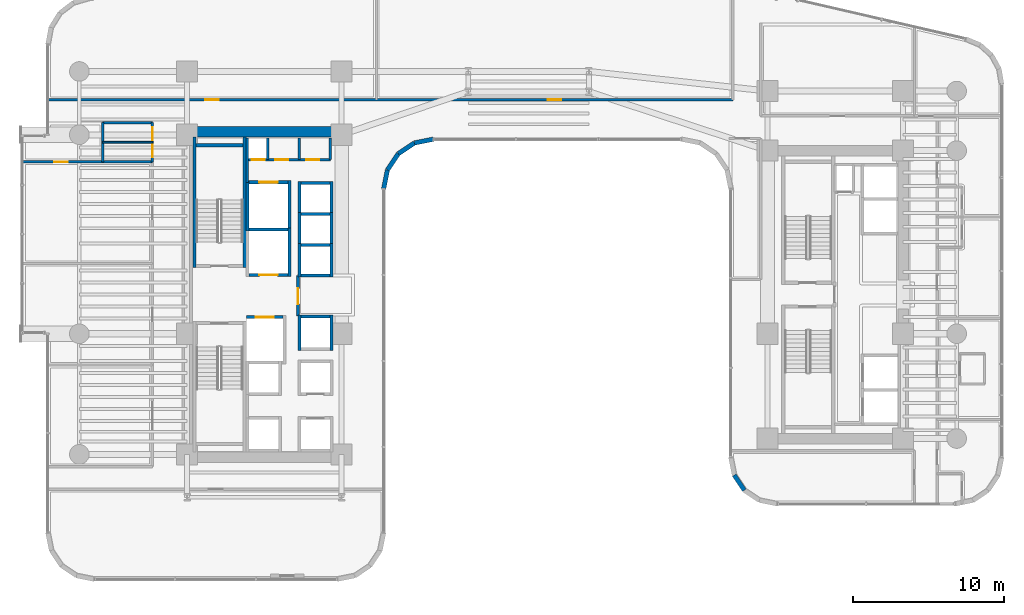
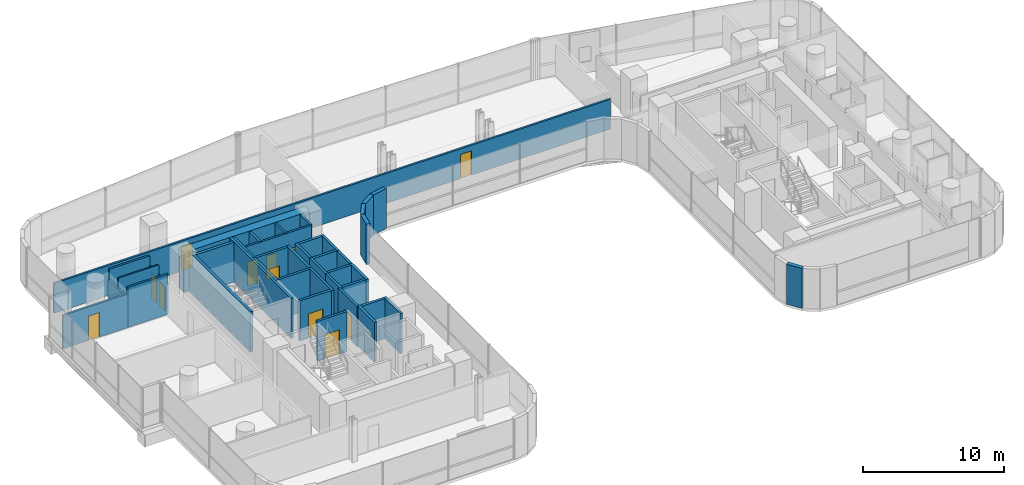
# One storey, part 30 of 39: 42 walls, 12 doors, 12 openings.
"""IFC4 building model written with IfcOpenShell, lengths in metres."""

from ifc_helpers import new_model, si_unit, direction, frame, frame_2d, origin, place, context, subcontext, project, spatial, rectangle, extrude, material, layer, layer_set, type_object, element, fill, save


model = new_model("IFC4")

# Units and contexts
model_context = context("Model", 3, precision=1e-05, world=origin(), true_north=direction((0.0, 1.0)))
body_context = subcontext(model_context, "Body", "Model", "MODEL_VIEW")
ifc_project = project(units=[si_unit("LENGTHUNIT", "METRE"), si_unit("AREAUNIT", "SQUARE_METRE"), si_unit("VOLUMEUNIT", "CUBIC_METRE"), si_unit("PLANEANGLEUNIT", "RADIAN"), si_unit("MASSUNIT", "GRAM", prefix="KILO")], contexts=[model_context])

# Site, building, storey
site_placement = place(None, origin())
site = spatial("IfcSite", under=ifc_project, at=site_placement, CompositionType="ELEMENT")
building_placement = place(site_placement, origin())
building = spatial("IfcBuilding", under=site, at=building_placement, Name="Valdorenza Pilgrim Sanctuary Tower", CompositionType="ELEMENT")
storey_placement = place(building_placement, frame((0.0, 0.0, 70.39990234375)))
storey = spatial("IfcBuildingStorey", under=building, at=storey_placement, Name="L17", CompositionType="ELEMENT", Elevation=70.39990234375)

# Wall
ifc_material_1 = material(Name="Acoustic twin-stud gypsum partition", Category="gypsum")
ifc_layer_1 = layer(ifc_material_1, 0.159912109375, Name="Acoustic twin-stud gypsum partition")
ifc_layer_set_1 = layer_set([ifc_layer_1], Name="Acoustic twin-stud gypsum partition")
wall_type_1 = type_object("IfcWallType", Name="WAL-COR-160", PredefinedType="PARTITIONING", material=ifc_layer_set_1)
wall_1_placement = place(storey_placement, frame((-18.64990234375, 7.449951171875, 0.0), z_axis=(0.0, 0.0, 1.0), x_axis=(0.0, 1.0, 0.0)))
element("IfcWall", 1, at=wall_1_placement, inside=storey, type_object=wall_type_1, Name="L17 Core A North Service West Wall", PredefinedType="PARTITIONING", context=body_context, shape_type="SweptSolid", body=[
    extrude(rectangle(XDim=2.929931640625, YDim=0.159912109375, at=frame_2d((1.46484375, 0.0))), origin(), (0.0, 0.0, 1.0), 3.460205078125),
])

# Wall, openings, doors
wall_2_placement = place(storey_placement, frame((-18.64990234375, 8.949951171875, 0.0), z_axis=(0.0, 0.0, 1.0), x_axis=(1.0, 0.0, 0.0)))
wall_2 = element("IfcWall", 2, at=wall_2_placement, inside=storey, type_object=wall_type_1, Name="L17 Core A North Service South Wall", PredefinedType="PARTITIONING", context=body_context, shape_type="SweptSolid", body=[
    extrude(rectangle(XDim=5.5, YDim=0.159912109375, at=frame_2d((2.75, 0.0))), origin(), (0.0, 0.0, 1.0), 3.460205078125),
])
opening_1_placement = place(wall_2_placement, frame((0.300048828125, 0.0, 0.0)))
opening_1 = element("IfcOpeningElement", 3, at=opening_1_placement, cuts=wall_2, Name="Opening DR-RS1", PredefinedType="OPENING", context=body_context, shape_type="SweptSolid", body=[
    extrude(rectangle(XDim=0.85009765625, YDim=2.050048828125, at=frame_2d((0.425048828125, 1.02490234375))), frame((0.0, 0.0947265625, 0.0), z_axis=(0.0, -1.0, 0.0), x_axis=(1.0, 0.0, 0.0)), (0.0, 0.0, 1.0), 0.189697265625),
])
opening_2_placement = place(wall_2_placement, frame((1.85009765625, 0.0, 0.0)))
opening_2 = element("IfcOpeningElement", 4, at=opening_2_placement, cuts=wall_2, Name="Opening DR-RS1", PredefinedType="OPENING", context=body_context, shape_type="SweptSolid", body=[
    extrude(rectangle(XDim=0.85009765625, YDim=2.050048828125, at=frame_2d((0.425048828125, 1.02490234375))), frame((0.0, 0.0947265625, 0.0), z_axis=(0.0, -1.0, 0.0), x_axis=(1.0, 0.0, 0.0)), (0.0, 0.0, 1.0), 0.189697265625),
])
opening_3_placement = place(wall_2_placement, frame((3.89990234375, 0.0, 0.0)))
opening_3 = element("IfcOpeningElement", 5, at=opening_3_placement, cuts=wall_2, Name="Opening DR-RS1", PredefinedType="OPENING", context=body_context, shape_type="SweptSolid", body=[
    extrude(rectangle(XDim=0.85009765625, YDim=2.050048828125, at=frame_2d((0.425048828125, 1.02490234375))), frame((0.0, 0.0947265625, 0.0), z_axis=(0.0, -1.0, 0.0), x_axis=(1.0, 0.0, 0.0)), (0.0, 0.0, 1.0), 0.189697265625),
])
ifc_material_2 = material(Name="Painted galvanized steel", Category="steel")
door_type_1 = type_object("IfcDoorType", Name="DR-RSR-850", OperationType="NOTDEFINED", PredefinedType="DOOR", material=ifc_material_2)
door_1_placement = place(opening_1_placement, origin())
door_1 = element("IfcDoor", 6, at=door_1_placement, inside=storey, type_object=door_type_1, Name="L17 Core Electrical and Telecom Riser Door", OperationType="SINGLE_SWING_LEFT", OverallHeight=2.050048828125, OverallWidth=0.85009765625, PredefinedType="DOOR", context=body_context, shape_type="SweptSolid", body=[
    extrude(rectangle(XDim=0.85009765625, YDim=2.050048828125, at=frame_2d((0.425048828125, 1.02490234375))), frame((0.0, 0.02490234375, 0.0), z_axis=(0.0, -1.0, 0.0), x_axis=(1.0, 0.0, 0.0)), (0.0, 0.0, 1.0), 0.050048828125),
])
fill(opening_1, door_1)
door_2_placement = place(opening_2_placement, origin())
door_2 = element("IfcDoor", 7, at=door_2_placement, inside=storey, type_object=door_type_1, Name="L17 Housekeeping and Clean Linen Room Door", OperationType="SINGLE_SWING_RIGHT", OverallHeight=2.050048828125, OverallWidth=0.85009765625, PredefinedType="DOOR", context=body_context, shape_type="SweptSolid", body=[
    extrude(rectangle(XDim=0.85009765625, YDim=2.050048828125, at=frame_2d((0.425048828125, 1.02490234375))), frame((0.0, 0.02490234375, 0.0), z_axis=(0.0, -1.0, 0.0), x_axis=(1.0, 0.0, 0.0)), (0.0, 0.0, 1.0), 0.050048828125),
])
fill(opening_2, door_2)
door_3_placement = place(opening_3_placement, origin())
door_3 = element("IfcDoor", 8, at=door_3_placement, inside=storey, type_object=door_type_1, Name="L17 Guest Ice and Vending Pantry Door", OperationType="SINGLE_SWING_LEFT", OverallHeight=2.050048828125, OverallWidth=0.85009765625, PredefinedType="DOOR", context=body_context, shape_type="SweptSolid", body=[
    extrude(rectangle(XDim=0.85009765625, YDim=2.050048828125, at=frame_2d((0.425048828125, 1.02490234375))), frame((0.0, 0.02490234375, 0.0), z_axis=(0.0, -1.0, 0.0), x_axis=(1.0, 0.0, 0.0)), (0.0, 0.0, 1.0), 0.050048828125),
])
fill(opening_3, door_3)

# Walls
for number, where, z_axis, x_axis, name in (
    (9, (-13.14990234375, 8.949951171875, 0.0), (0.0, 0.0, 1.0), (0.0, 1.0, 0.0), "L17 Core A North Service East Wall"),
    (10, (-17.300048828125, 8.949951171875, 0.0), (0.0, 0.0, 1.0), (0.0, 1.0, 0.0), "L17 Core Electrical Riser Wall"),
    (11, (-15.199951171875, 8.949951171875, 0.0), (0.0, 0.0, 1.0), (0.0, 1.0, 0.0), "L17 Core A Housekeeping Split B"),
):
    element("IfcWall", number, at=place(storey_placement, frame(where, z_axis=z_axis, x_axis=x_axis)), inside=storey, type_object=wall_type_1, Name=name, PredefinedType="PARTITIONING", context=body_context, shape_type="SweptSolid", body=[
        extrude(rectangle(XDim=1.429931640625, YDim=0.159912109375, at=frame_2d((0.71484375, 0.0))), origin(), (0.0, 0.0, 1.0), 3.460205078125),
    ])
wall_3_placement = place(storey_placement, frame((-28.25, 8.800048828125, 0.0), z_axis=(0.0, 0.0, 1.0), x_axis=(0.0, 1.0, 0.0)))
element("IfcWall", 12, at=wall_3_placement, inside=storey, type_object=wall_type_1, Name="L17 Washroom West Wall", PredefinedType="PARTITIONING", context=body_context, shape_type="SweptSolid", body=[
    extrude(rectangle(XDim=2.599853515625, YDim=0.159912109375, at=frame_2d((1.2998046875, 0.0))), origin(), (0.0, 0.0, 1.0), 2.5830078125),
])

# Wall, openings, doors
wall_4_placement = place(storey_placement, frame((-24.949951171875, 8.800048828125, 0.0), z_axis=(0.0, 0.0, 1.0), x_axis=(0.0, 1.0, 0.0)))
wall_4 = element("IfcWall", 13, at=wall_4_placement, inside=storey, type_object=wall_type_1, Name="L17 Washroom East Wall", PredefinedType="PARTITIONING", context=body_context, shape_type="SweptSolid", body=[
    extrude(rectangle(XDim=2.599853515625, YDim=0.159912109375, at=frame_2d((1.2998046875, 0.0))), origin(), (0.0, 0.0, 1.0), 2.5830078125),
])
opening_4_placement = place(wall_4_placement, frame((0.300048828125, 0.0, 0.0)))
opening_4 = element("IfcOpeningElement", 14, at=opening_4_placement, cuts=wall_4, Name="Opening DR-WC1", PredefinedType="OPENING", context=body_context, shape_type="SweptSolid", body=[
    extrude(rectangle(XDim=0.85009765625, YDim=2.10009765625, at=frame_2d((0.425048828125, 1.050048828125))), frame((0.0, 0.0947265625, 0.0), z_axis=(0.0, -1.0, 0.0), x_axis=(1.0, 0.0, 0.0)), (0.0, 0.0, 1.0), 0.189697265625),
])
opening_5_placement = place(wall_4_placement, frame((1.449951171875, 0.0, 0.0)))
opening_5 = element("IfcOpeningElement", 15, at=opening_5_placement, cuts=wall_4, Name="Opening DR-WC1", PredefinedType="OPENING", context=body_context, shape_type="SweptSolid", body=[
    extrude(rectangle(XDim=0.85009765625, YDim=2.10009765625, at=frame_2d((0.425048828125, 1.050048828125))), frame((0.0, 0.0947265625, 0.0), z_axis=(0.0, -1.0, 0.0), x_axis=(1.0, 0.0, 0.0)), (0.0, 0.0, 1.0), 0.189697265625),
])
ifc_material_3 = material(Name="Moisture-resistant lacquered timber", Category="wood")
door_type_2 = type_object("IfcDoorType", Name="DR-BATH-850", OperationType="NOTDEFINED", PredefinedType="DOOR", material=ifc_material_3)
door_4_placement = place(opening_4_placement, origin())
door_4 = element("IfcDoor", 16, at=door_4_placement, inside=storey, type_object=door_type_2, Name="L17 Accessible Washroom Door", OperationType="SINGLE_SWING_RIGHT", OverallHeight=2.10009765625, OverallWidth=0.85009765625, PredefinedType="DOOR", context=body_context, shape_type="SweptSolid", body=[
    extrude(rectangle(XDim=0.85009765625, YDim=2.10009765625, at=frame_2d((0.425048828125, 1.050048828125))), frame((0.0, 0.02490234375, 0.0), z_axis=(0.0, -1.0, 0.0), x_axis=(1.0, 0.0, 0.0)), (0.0, 0.0, 1.0), 0.050048828125),
])
fill(opening_4, door_4)
door_5_placement = place(opening_5_placement, origin())
door_5 = element("IfcDoor", 17, at=door_5_placement, inside=storey, type_object=door_type_2, Name="L17 Public Washroom Door", OperationType="SINGLE_SWING_LEFT", OverallHeight=2.10009765625, OverallWidth=0.85009765625, PredefinedType="DOOR", context=body_context, shape_type="SweptSolid", body=[
    extrude(rectangle(XDim=0.85009765625, YDim=2.10009765625, at=frame_2d((0.425048828125, 1.050048828125))), frame((0.0, 0.02490234375, 0.0), z_axis=(0.0, -1.0, 0.0), x_axis=(1.0, 0.0, 0.0)), (0.0, 0.0, 1.0), 0.050048828125),
])
fill(opening_5, door_5)

# Walls
for number, where, z_axis, x_axis, name in (
    (18, (-28.25, 8.800048828125, 0.0), (0.0, 0.0, 1.0), (1.0, 0.0, 0.0), "L17 Washroom South Wall"),
    (19, (-28.25, 11.39990234375, 0.0), (0.0, 0.0, 1.0), (1.0, 0.0, 0.0), "L17 Washroom North Wall"),
):
    element("IfcWall", number, at=place(storey_placement, frame(where, z_axis=z_axis, x_axis=x_axis)), inside=storey, type_object=wall_type_1, Name=name, PredefinedType="PARTITIONING", context=body_context, shape_type="SweptSolid", body=[
        extrude(rectangle(XDim=3.300048828125, YDim=0.159912109375, at=frame_2d((1.64990234375, 0.0))), origin(), (0.0, 0.0, 1.0), 3.460205078125),
    ])

# Wall, opening, door
wall_5_placement = place(storey_placement, frame((-33.5400390625, 8.800048828125, 0.0), z_axis=(0.0, 0.0, 1.0), x_axis=(1.0, 0.0, 0.0)))
wall_5 = element("IfcWall", 20, at=wall_5_placement, inside=storey, type_object=wall_type_1, Name="L17 West North Alcove Wall", PredefinedType="PARTITIONING", context=body_context, shape_type="SweptSolid", body=[
    extrude(rectangle(XDim=5.2900390625, YDim=0.159912109375, at=frame_2d((2.64501953125, 0.0))), origin(), (0.0, 0.0, 1.0), 2.89599609375),
])
opening_6_placement = place(wall_5_placement, frame((2.080078125, 0.0, 0.0)))
opening_6 = element("IfcOpeningElement", 21, at=opening_6_placement, cuts=wall_5, Name="Opening DR-RM1", PredefinedType="OPENING", context=body_context, shape_type="SweptSolid", body=[
    extrude(rectangle(XDim=0.89990234375, YDim=2.10009765625, at=frame_2d((0.449951171875, 1.050048828125))), frame((0.0, 0.0947265625, 0.0), z_axis=(0.0, -1.0, 0.0), x_axis=(1.0, 0.0, 0.0)), (0.0, 0.0, 1.0), 0.189697265625),
])
ifc_material_4 = material(Name="Solid-core European oak timber", Category="wood")
door_type_3 = type_object("IfcDoorType", Name="DR-ROOM-900", OperationType="NOTDEFINED", PredefinedType="DOOR", material=ifc_material_4)
door_6_placement = place(opening_6_placement, origin())
door_6 = element("IfcDoor", 22, at=door_6_placement, inside=storey, type_object=door_type_3, Name="L17 Pilgrim Scholar Office L17-WN Door", OperationType="SINGLE_SWING_RIGHT", OverallHeight=2.10009765625, OverallWidth=0.89990234375, PredefinedType="DOOR", context=body_context, shape_type="SweptSolid", body=[
    extrude(rectangle(XDim=0.89990234375, YDim=2.10009765625, at=frame_2d((0.449951171875, 1.050048828125))), frame((0.0, 0.02490234375, 0.0), z_axis=(0.0, -1.0, 0.0), x_axis=(1.0, 0.0, 0.0)), (0.0, 0.0, 1.0), 0.050048828125),
])
fill(opening_6, door_6)

# Wall, openings, doors
wall_6_placement = place(storey_placement, frame((-31.889892578125, 12.919921875, 0.0), z_axis=(0.0, 0.0, 1.0), x_axis=(1.0, 0.0, 0.0)))
wall_6 = element("IfcWall", 23, at=wall_6_placement, inside=storey, type_object=wall_type_1, Name="L17 North Corridor Wall", PredefinedType="PARTITIONING", context=body_context, shape_type="SweptSolid", body=[
    extrude(rectangle(XDim=45.43994140625, YDim=0.159912109375, at=frame_2d((22.719970703125, 0.0))), origin(), (0.0, 0.0, 1.0), 2.5830078125),
])
opening_7_placement = place(wall_6_placement, frame((10.447998046875, 0.0, 0.0)))
opening_7 = element("IfcOpeningElement", 24, at=opening_7_placement, cuts=wall_6, Name="Opening DR-RM1", PredefinedType="OPENING", context=body_context, shape_type="SweptSolid", body=[
    extrude(rectangle(XDim=0.89990234375, YDim=2.10009765625, at=frame_2d((0.449951171875, 1.050048828125))), frame((0.0, 0.0947265625, 0.0), z_axis=(0.0, -1.0, 0.0), x_axis=(1.0, 0.0, 0.0)), (0.0, 0.0, 1.0), 0.189697265625),
])
opening_8_placement = place(wall_6_placement, frame((33.1669921875, 0.0, 0.0)))
opening_8 = element("IfcOpeningElement", 25, at=opening_8_placement, cuts=wall_6, Name="Opening DR-RM1", PredefinedType="OPENING", context=body_context, shape_type="SweptSolid", body=[
    extrude(rectangle(XDim=0.89990234375, YDim=2.10009765625, at=frame_2d((0.449951171875, 1.050048828125))), frame((0.0, 0.0947265625, 0.0), z_axis=(0.0, -1.0, 0.0), x_axis=(1.0, 0.0, 0.0)), (0.0, 0.0, 1.0), 0.189697265625),
])
door_7_placement = place(opening_7_placement, frame((0.89990234375, 0.0, 0.0), z_axis=(0.0, 0.0, 1.0), x_axis=(-1.0, 0.0, 0.0)))
door_7 = element("IfcDoor", 26, at=door_7_placement, inside=storey, type_object=door_type_3, Name="L17 Private Banquet Dining Room L17-N1 Door", OperationType="SINGLE_SWING_LEFT", OverallHeight=2.10009765625, OverallWidth=0.89990234375, PredefinedType="DOOR", context=body_context, shape_type="SweptSolid", body=[
    extrude(rectangle(XDim=0.89990234375, YDim=2.10009765625, at=frame_2d((0.449951171875, 1.050048828125))), frame((0.0, 0.02490234375, 0.0), z_axis=(0.0, -1.0, 0.0), x_axis=(1.0, 0.0, 0.0)), (0.0, 0.0, 1.0), 0.050048828125),
])
fill(opening_7, door_7)
door_8_placement = place(opening_8_placement, origin())
door_8 = element("IfcDoor", 27, at=door_8_placement, inside=storey, type_object=door_type_3, Name="L17 Private Banquet Dining Room L17-N2 Door", OperationType="SINGLE_SWING_RIGHT", OverallHeight=2.10009765625, OverallWidth=0.89990234375, PredefinedType="DOOR", context=body_context, shape_type="SweptSolid", body=[
    extrude(rectangle(XDim=0.89990234375, YDim=2.10009765625, at=frame_2d((0.449951171875, 1.050048828125))), frame((0.0, 0.02490234375, 0.0), z_axis=(0.0, -1.0, 0.0), x_axis=(1.0, 0.0, 0.0)), (0.0, 0.0, 1.0), 0.050048828125),
])
fill(opening_8, door_8)

# Walls
ifc_material_5 = material(Name="Concrete C60/75", Category="concrete")
ifc_layer_2 = layer(ifc_material_5, 0.699951171875, Name="Concrete C60/75")
ifc_layer_set_2 = layer_set([ifc_layer_2], Name="Concrete C60/75")
wall_type_2 = type_object("IfcWallType", Name="WAL-COR-700", PredefinedType="SHEAR", material=ifc_layer_set_2)
wall_7_placement = place(storey_placement, frame((-22.64990234375, 10.800048828125, 0.0), z_axis=(0.0, 0.0, 1.0), x_axis=(1.0, 0.0, 0.0)))
element("IfcWall", 28, at=wall_7_placement, inside=storey, type_object=wall_type_2, Name="L17 Split Core A Shear Wall N", PredefinedType="SHEAR", context=body_context, shape_type="SweptSolid", body=[
    extrude(rectangle(XDim=10.25, YDim=0.699951171875, at=frame_2d((5.125, 0.0))), origin(), (0.0, 0.0, 1.0), 3.460205078125),
])
ifc_material_6 = material(Name="Honed travertine limestone", Category="masonry")
ifc_layer_3 = layer(ifc_material_6, 0.300048828125, Name="Honed travertine limestone")
ifc_layer_set_3 = layer_set([ifc_layer_3], Name="Honed travertine limestone")
wall_type_3 = type_object("IfcWallType", Name="WAL-EXT-300", PredefinedType="SOLIDWALL", material=ifc_layer_set_3)
wall_8_placement = place(storey_placement, frame((14.316650390625, -12.9833984375, 0.0), z_axis=(0.0, 0.0, 1.0), x_axis=(-0.555635100982, 0.831426265255, 0.0)))
element("IfcWall", 29, at=wall_8_placement, inside=storey, type_object=wall_type_3, Name="L17 Rounded Wind-Corner Stone Pier 29", PredefinedType="SOLIDWALL", context=body_context, shape_type="SweptSolid", body=[
    extrude(rectangle(XDim=1.204833984375, YDim=0.300048828125, at=frame_2d((0.6025390625, 0.0))), origin(), (0.0, 0.0, 1.0), 3.460205078125),
])
wall_9_placement = place(storey_placement, frame((-6.310791015625, 10.31005859375, 0.0), z_axis=(0.0, 0.0, 1.0), x_axis=(-0.980778058848, -0.195126623715, 0.0)))
element("IfcWall", 30, at=wall_9_placement, inside=storey, type_object=wall_type_3, Name="L17 Rounded Wind-Corner Stone Pier 37", PredefinedType="SOLIDWALL", context=body_context, shape_type="SweptSolid", body=[
    extrude(rectangle(XDim=1.28125, YDim=0.300048828125, at=frame_2d((0.640625, 0.0))), origin(), (0.0, 0.0, 1.0), 3.460205078125),
])
wall_10_placement = place(storey_placement, frame((-7.5673828125, 10.06005859375, 0.0), z_axis=(0.0, 0.0, 1.0), x_axis=(-0.831497739511, -0.555528135371, 0.0)))
element("IfcWall", 31, at=wall_10_placement, inside=storey, type_object=wall_type_3, Name="L17 Rounded Wind-Corner Stone Pier 38", PredefinedType="SOLIDWALL", context=body_context, shape_type="SweptSolid", body=[
    extrude(rectangle(XDim=1.29248046875, YDim=0.300048828125, at=frame_2d((0.646240234375, 0.0))), origin(), (0.0, 0.0, 1.0), 3.460205078125),
])
wall_11_placement = place(storey_placement, frame((-8.64208984375, 9.342041015625, 0.0), z_axis=(0.0, 0.0, 1.0), x_axis=(-0.555615398575, -0.831439431869, 0.0)))
element("IfcWall", 32, at=wall_11_placement, inside=storey, type_object=wall_type_3, Name="L17 Rounded Wind-Corner Stone Pier 39", PredefinedType="SOLIDWALL", context=body_context, shape_type="SweptSolid", body=[
    extrude(rectangle(XDim=1.292236328125, YDim=0.300048828125, at=frame_2d((0.64599609375, 0.0))), origin(), (0.0, 0.0, 1.0), 3.460205078125),
])
wall_12_placement = place(storey_placement, frame((-9.360107421875, 8.267578125, 0.0), z_axis=(0.0, 0.0, 1.0), x_axis=(-0.195090163074, -0.980785312019, 0.0)))
element("IfcWall", 33, at=wall_12_placement, inside=storey, type_object=wall_type_3, Name="L17 Rounded Wind-Corner Stone Pier 40", PredefinedType="SOLIDWALL", context=body_context, shape_type="SweptSolid", body=[
    extrude(rectangle(XDim=1.281494140625, YDim=0.300048828125, at=frame_2d((0.640625, 0.0))), origin(), (0.0, 0.0, 1.0), 3.460205078125),
])

# Wall, opening, door
ifc_material_7 = material(Name="Gypsum shaftwall partition", Category="gypsum")
ifc_layer_4 = layer(ifc_material_7, 0.199951171875, Name="Gypsum shaftwall partition")
ifc_layer_set_4 = layer_set([ifc_layer_4], Name="Gypsum shaftwall partition")
wall_type_4 = type_object("IfcWallType", Name="WAL-FFL-200", PredefinedType="PARTITIONING", material=ifc_layer_set_4)
wall_13_placement = place(storey_placement, frame((-15.300048828125, -1.419921875, 0.0), z_axis=(0.0, 0.0, 1.0), x_axis=(0.0, 1.0, 0.0)))
wall_13 = element("IfcWall", 34, at=wall_13_placement, inside=storey, type_object=wall_type_4, Name="L17 Core A Firefighting Lobby East Wall", PredefinedType="PARTITIONING", context=body_context, shape_type="SweptSolid", body=[
    extrude(rectangle(XDim=2.669921875, YDim=0.199951171875, at=frame_2d((1.3349609375, 0.0))), origin(), (0.0, 0.0, 1.0), 3.460205078125),
])
opening_9_placement = place(wall_13_placement, frame((0.780029296875, 0.0, 0.0)))
opening_9 = element("IfcOpeningElement", 35, at=opening_9_placement, cuts=wall_13, Name="Opening DR-FL1", PredefinedType="OPENING", context=body_context, shape_type="SweptSolid", body=[
    extrude(rectangle(XDim=1.050048828125, YDim=2.14990234375, at=frame_2d((0.52490234375, 1.074951171875))), frame((0.0, 0.11474609375, 0.0), z_axis=(0.0, -1.0, 0.0), x_axis=(1.0, 0.0, 0.0)), (0.0, 0.0, 1.0), 0.229736328125),
])
door_type_4 = type_object("IfcDoorType", Name="DR-FFL-1050", OperationType="NOTDEFINED", PredefinedType="DOOR", material=ifc_material_2)
door_9_placement = place(opening_9_placement, origin())
door_9 = element("IfcDoor", 36, at=door_9_placement, inside=storey, type_object=door_type_4, Name="L17 Core A Firefighting Lobby Door", OperationType="SINGLE_SWING_RIGHT", OverallHeight=2.14990234375, OverallWidth=1.050048828125, PredefinedType="DOOR", context=body_context, shape_type="SweptSolid", body=[
    extrude(rectangle(XDim=1.050048828125, YDim=2.14990234375, at=frame_2d((0.52490234375, 1.074951171875))), frame((0.0, 0.02490234375, 0.0), z_axis=(0.0, -1.0, 0.0), x_axis=(1.0, 0.0, 0.0)), (0.0, 0.0, 1.0), 0.050048828125),
])
fill(opening_9, door_9)

# Walls
ifc_material_8 = material(Name="Moisture-resistant gypsum partition", Category="gypsum")
ifc_layer_5 = layer(ifc_material_8, 0.1201171875, Name="Moisture-resistant gypsum partition")
ifc_layer_set_5 = layer_set([ifc_layer_5], Name="Moisture-resistant gypsum partition")
wall_type_5 = type_object("IfcWallType", Name="WAL-INT-120", PredefinedType="PARTITIONING", material=ifc_layer_set_5)
wall_14_placement = place(storey_placement, frame((-28.25, 10.10009765625, 0.0), z_axis=(0.0, 0.0, 1.0), x_axis=(1.0, 0.0, 0.0)))
element("IfcWall", 37, at=wall_14_placement, inside=storey, type_object=wall_type_5, Name="L17 Washroom Divider Wall", PredefinedType="PARTITIONING", context=body_context, shape_type="SweptSolid", body=[
    extrude(rectangle(XDim=3.300048828125, YDim=0.1201171875, at=frame_2d((1.64990234375, 0.0))), origin(), (0.0, 0.0, 1.0), 3.460205078125),
])
ifc_material_9 = material(Name="Autoclaved aerated concrete blockwork", Category="masonry")
ifc_layer_6 = layer(ifc_material_9, 0.199951171875, Name="Autoclaved aerated concrete blockwork")
ifc_layer_set_6 = layer_set([ifc_layer_6], Name="Autoclaved aerated concrete blockwork")
wall_type_6 = type_object("IfcWallType", Name="WAL-SHF-200", PredefinedType="MOVABLE", material=ifc_layer_set_6)
wall_15_placement = place(storey_placement, frame((-15.85009765625, 1.199951171875, 0.0), z_axis=(0.0, 0.0, 1.0), x_axis=(0.0, 1.0, 0.0)))
element("IfcWall", 38, at=wall_15_placement, inside=storey, type_object=wall_type_6, Name="L17 Lift FFL-01 Hoistway Wall East", PredefinedType="MOVABLE", context=body_context, shape_type="SweptSolid", body=[
    extrude(rectangle(XDim=3.22509765625, YDim=0.199951171875, at=frame_2d((1.612548828125, 0.0))), origin(), (0.0, 0.0, 1.0), 3.460205078125),
])

# Wall, opening, door
wall_16_placement = place(storey_placement, frame((-18.550048828125, 1.300048828125, 0.0), z_axis=(0.0, 0.0, 1.0), x_axis=(1.0, 0.0, 0.0)))
wall_16 = element("IfcWall", 39, at=wall_16_placement, inside=storey, type_object=wall_type_6, Name="L17 Lift FFL-01 Hoistway Wall South", PredefinedType="MOVABLE", context=body_context, shape_type="SweptSolid", body=[
    extrude(rectangle(XDim=2.60009765625, YDim=0.199951171875, at=frame_2d((1.300048828125, 0.0))), origin(), (0.0, 0.0, 1.0), 3.460205078125),
])
opening_10_placement = place(wall_16_placement, frame((0.699951171875, 0.0, 0.0)))
opening_10 = element("IfcOpeningElement", 40, at=opening_10_placement, cuts=wall_16, Name="Opening LD-02", PredefinedType="OPENING", context=body_context, shape_type="SweptSolid", body=[
    extrude(rectangle(XDim=1.199951171875, YDim=2.10009765625, at=frame_2d((0.60009765625, 1.050048828125))), frame((0.0, 0.11474609375, 0.0), z_axis=(0.0, -1.0, 0.0), x_axis=(1.0, 0.0, 0.0)), (0.0, 0.0, 1.0), 0.229736328125),
])
ifc_material_10 = material(Name="Brushed stainless steel Grade 316", Category="steel")
door_type_5 = type_object("IfcDoorType", Name="DR-LFT-1200", OperationType="DOUBLE_DOOR_SLIDING", PredefinedType="DOOR", material=ifc_material_10)
door_10_placement = place(opening_10_placement, origin())
door_10 = element("IfcDoor", 41, at=door_10_placement, inside=storey, type_object=door_type_5, Name="L17 Lift FFL-01 Sliding Landing Door", OperationType="DOUBLE_DOOR_SLIDING", OverallHeight=2.10009765625, OverallWidth=1.199951171875, PredefinedType="DOOR", context=body_context, shape_type="SweptSolid", body=[
    extrude(rectangle(XDim=1.199951171875, YDim=2.10009765625, at=frame_2d((0.60009765625, 1.050048828125))), frame((0.0, 0.02490234375, 0.0), z_axis=(0.0, -1.0, 0.0), x_axis=(1.0, 0.0, 0.0)), (0.0, 0.0, 1.0), 0.050048828125),
])
fill(opening_10, door_10)

# Wall
wall_17_placement = place(storey_placement, frame((-18.550048828125, 4.324951171875, 0.0), z_axis=(0.0, 0.0, 1.0), x_axis=(1.0, 0.0, 0.0)))
element("IfcWall", 42, at=wall_17_placement, inside=storey, type_object=wall_type_6, Name="L17 Lift FFL-01 Hoistway Wall North", PredefinedType="MOVABLE", context=body_context, shape_type="SweptSolid", body=[
    extrude(rectangle(XDim=2.60009765625, YDim=0.199951171875, at=frame_2d((1.300048828125, 0.0))), origin(), (0.0, 0.0, 1.0), 3.460205078125),
])

# Wall, opening, door
wall_18_placement = place(storey_placement, frame((-18.719970703125, -1.5, 0.0), z_axis=(0.0, 0.0, 1.0), x_axis=(1.0, 0.0, 0.0)))
wall_18 = element("IfcWall", 43, at=wall_18_placement, inside=storey, type_object=wall_type_6, Name="L17 Lift FFL-02 Hoistway Wall North", PredefinedType="MOVABLE", context=body_context, shape_type="SweptSolid", body=[
    extrude(rectangle(XDim=2.419921875, YDim=0.199951171875, at=frame_2d((1.2099609375, 0.0))), origin(), (0.0, 0.0, 1.0), 3.460205078125),
])
opening_11_placement = place(wall_18_placement, frame((0.610107421875, 0.0, 0.0)))
opening_11 = element("IfcOpeningElement", 44, at=opening_11_placement, cuts=wall_18, Name="Opening LD-02", PredefinedType="OPENING", context=body_context, shape_type="SweptSolid", body=[
    extrude(rectangle(XDim=1.199951171875, YDim=2.10009765625, at=frame_2d((0.60009765625, 1.050048828125))), frame((0.0, 0.11474609375, 0.0), z_axis=(0.0, -1.0, 0.0), x_axis=(1.0, 0.0, 0.0)), (0.0, 0.0, 1.0), 0.229736328125),
])
door_11_placement = place(opening_11_placement, origin())
door_11 = element("IfcDoor", 45, at=door_11_placement, inside=storey, type_object=door_type_5, Name="L17 Lift FFL-02 Sliding Landing Door", OperationType="DOUBLE_DOOR_SLIDING", OverallHeight=2.10009765625, OverallWidth=1.199951171875, PredefinedType="DOOR", context=body_context, shape_type="SweptSolid", body=[
    extrude(rectangle(XDim=1.199951171875, YDim=2.10009765625, at=frame_2d((0.60009765625, 1.050048828125))), frame((0.0, 0.02490234375, 0.0), z_axis=(0.0, -1.0, 0.0), x_axis=(1.0, 0.0, 0.0)), (0.0, 0.0, 1.0), 0.050048828125),
])
fill(opening_11, door_11)

# Walls
for number, where, z_axis, x_axis, name in (
    (46, (-18.64990234375, 4.22509765625, 0.0), (0.0, 0.0, 1.0), (0.0, 1.0, 0.0), "L17 Lift SVL-01 Hoistway Wall West"),
    (47, (-15.85009765625, 4.22509765625, 0.0), (0.0, 0.0, 1.0), (0.0, 1.0, 0.0), "L17 Lift SVL-01 Hoistway Wall East"),
):
    element("IfcWall", number, at=place(storey_placement, frame(where, z_axis=z_axis, x_axis=x_axis)), inside=storey, type_object=wall_type_6, Name=name, PredefinedType="MOVABLE", context=body_context, shape_type="SweptSolid", body=[
        extrude(rectangle(XDim=3.324951171875, YDim=0.199951171875, at=frame_2d((1.66259765625, 0.0))), origin(), (0.0, 0.0, 1.0), 3.460205078125),
    ])

# Wall, opening, door
wall_19_placement = place(storey_placement, frame((-18.550048828125, 7.449951171875, 0.0), z_axis=(0.0, 0.0, 1.0), x_axis=(1.0, 0.0, 0.0)))
wall_19 = element("IfcWall", 48, at=wall_19_placement, inside=storey, type_object=wall_type_6, Name="L17 Lift SVL-01 Hoistway Wall North", PredefinedType="MOVABLE", context=body_context, shape_type="SweptSolid", body=[
    extrude(rectangle(XDim=2.60009765625, YDim=0.199951171875, at=frame_2d((1.300048828125, 0.0))), origin(), (0.0, 0.0, 1.0), 3.460205078125),
])
opening_12_placement = place(wall_19_placement, frame((0.699951171875, 0.0, 0.0)))
opening_12 = element("IfcOpeningElement", 49, at=opening_12_placement, cuts=wall_19, Name="Opening LD-02", PredefinedType="OPENING", context=body_context, shape_type="SweptSolid", body=[
    extrude(rectangle(XDim=1.199951171875, YDim=2.10009765625, at=frame_2d((0.60009765625, 1.050048828125))), frame((0.0, 0.11474609375, 0.0), z_axis=(0.0, -1.0, 0.0), x_axis=(1.0, 0.0, 0.0)), (0.0, 0.0, 1.0), 0.229736328125),
])
door_12_placement = place(opening_12_placement, origin())
door_12 = element("IfcDoor", 50, at=door_12_placement, inside=storey, type_object=door_type_5, Name="L17 Lift SVL-01 Sliding Landing Door", OperationType="DOUBLE_DOOR_SLIDING", OverallHeight=2.10009765625, OverallWidth=1.199951171875, PredefinedType="DOOR", context=body_context, shape_type="SweptSolid", body=[
    extrude(rectangle(XDim=1.199951171875, YDim=2.10009765625, at=frame_2d((0.60009765625, 1.050048828125))), frame((0.0, 0.02490234375, 0.0), z_axis=(0.0, -1.0, 0.0), x_axis=(1.0, 0.0, 0.0)), (0.0, 0.0, 1.0), 0.050048828125),
])
fill(opening_12, door_12)

# Walls
for number, where, z_axis, x_axis, name in (
    (51, (-15.199951171875, 1.14990234375, 0.0), (0.0, 0.0, 1.0), (0.0, 1.0, 0.0), "L17 Lift PL-06 Hoistway Wall West"),
    (52, (-13.080078125, 1.14990234375, 0.0), (0.0, 0.0, 1.0), (0.0, 1.0, 0.0), "L17 Lift PL-06 Hoistway Wall East"),
):
    element("IfcWall", number, at=place(storey_placement, frame(where, z_axis=z_axis, x_axis=x_axis)), inside=storey, type_object=wall_type_6, Name=name, PredefinedType="MOVABLE", context=body_context, shape_type="SweptSolid", body=[
        extrude(rectangle(XDim=2.25, YDim=0.199951171875, at=frame_2d((1.125, 0.0))), origin(), (0.0, 0.0, 1.0), 3.460205078125),
    ])
wall_20_placement = place(storey_placement, frame((-15.10009765625, 1.25, 0.0), z_axis=(0.0, 0.0, 1.0), x_axis=(1.0, 0.0, 0.0)))
element("IfcWall", 53, at=wall_20_placement, inside=storey, type_object=wall_type_6, Name="L17 Lift PL-06 Hoistway Wall South", PredefinedType="MOVABLE", context=body_context, shape_type="SweptSolid", body=[
    extrude(rectangle(XDim=1.920166015625, YDim=0.199951171875, at=frame_2d((0.9599609375, 0.0))), origin(), (0.0, 0.0, 1.0), 3.460205078125),
])
for number, where, z_axis, x_axis, name in (
    (54, (-15.199951171875, 3.199951171875, 0.0), (0.0, 0.0, 1.0), (0.0, 1.0, 0.0), "L17 Lift PL-09 Hoistway Wall West"),
    (55, (-13.080078125, 3.199951171875, 0.0), (0.0, 0.0, 1.0), (0.0, 1.0, 0.0), "L17 Lift PL-09 Hoistway Wall East"),
):
    element("IfcWall", number, at=place(storey_placement, frame(where, z_axis=z_axis, x_axis=x_axis)), inside=storey, type_object=wall_type_6, Name=name, PredefinedType="MOVABLE", context=body_context, shape_type="SweptSolid", body=[
        extrude(rectangle(XDim=2.25, YDim=0.199951171875, at=frame_2d((1.125, 0.0))), origin(), (0.0, 0.0, 1.0), 3.460205078125),
    ])
for number, where, z_axis, x_axis, name in (
    (56, (-15.10009765625, 3.300048828125, 0.0), (0.0, 0.0, 1.0), (1.0, 0.0, 0.0), "L17 Lift PL-09 Hoistway Wall South"),
    (57, (-15.10009765625, 5.35009765625, 0.0), (0.0, 0.0, 1.0), (1.0, 0.0, 0.0), "L17 Lift PL-09 Hoistway Wall North"),
):
    element("IfcWall", number, at=place(storey_placement, frame(where, z_axis=z_axis, x_axis=x_axis)), inside=storey, type_object=wall_type_6, Name=name, PredefinedType="MOVABLE", context=body_context, shape_type="SweptSolid", body=[
        extrude(rectangle(XDim=1.920166015625, YDim=0.199951171875, at=frame_2d((0.9599609375, 0.0))), origin(), (0.0, 0.0, 1.0), 3.460205078125),
    ])
for number, where, z_axis, x_axis, name in (
    (58, (-15.199951171875, 5.25, 0.0), (0.0, 0.0, 1.0), (0.0, 1.0, 0.0), "L17 Lift PL-10 Hoistway Wall West"),
    (59, (-13.080078125, 5.25, 0.0), (0.0, 0.0, 1.0), (0.0, 1.0, 0.0), "L17 Lift PL-10 Hoistway Wall East"),
):
    element("IfcWall", number, at=place(storey_placement, frame(where, z_axis=z_axis, x_axis=x_axis)), inside=storey, type_object=wall_type_6, Name=name, PredefinedType="MOVABLE", context=body_context, shape_type="SweptSolid", body=[
        extrude(rectangle(XDim=2.25, YDim=0.199951171875, at=frame_2d((1.125, 0.0))), origin(), (0.0, 0.0, 1.0), 3.460205078125),
    ])
wall_21_placement = place(storey_placement, frame((-15.10009765625, 7.39990234375, 0.0), z_axis=(0.0, 0.0, 1.0), x_axis=(1.0, 0.0, 0.0)))
element("IfcWall", 60, at=wall_21_placement, inside=storey, type_object=wall_type_6, Name="L17 Lift PL-10 Hoistway Wall North", PredefinedType="MOVABLE", context=body_context, shape_type="SweptSolid", body=[
    extrude(rectangle(XDim=1.920166015625, YDim=0.199951171875, at=frame_2d((0.9599609375, 0.0))), origin(), (0.0, 0.0, 1.0), 3.460205078125),
])
for number, where, z_axis, x_axis, name in (
    (61, (-15.199951171875, -3.699951171875, 0.0), (0.0, 0.0, 1.0), (0.0, 1.0, 0.0), "L17 Lift PL-12 Hoistway Wall West"),
    (62, (-13.080078125, -3.699951171875, 0.0), (0.0, 0.0, 1.0), (0.0, 1.0, 0.0), "L17 Lift PL-12 Hoistway Wall East"),
):
    element("IfcWall", number, at=place(storey_placement, frame(where, z_axis=z_axis, x_axis=x_axis)), inside=storey, type_object=wall_type_6, Name=name, PredefinedType="MOVABLE", context=body_context, shape_type="SweptSolid", body=[
        extrude(rectangle(XDim=2.349853515625, YDim=0.199951171875, at=frame_2d((1.1748046875, 0.0))), origin(), (0.0, 0.0, 1.0), 3.460205078125),
    ])
wall_22_placement = place(storey_placement, frame((-15.10009765625, -1.449951171875, 0.0), z_axis=(0.0, 0.0, 1.0), x_axis=(1.0, 0.0, 0.0)))
element("IfcWall", 63, at=wall_22_placement, inside=storey, type_object=wall_type_6, Name="L17 Lift PL-12 Hoistway Wall North", PredefinedType="MOVABLE", context=body_context, shape_type="SweptSolid", body=[
    extrude(rectangle(XDim=1.920166015625, YDim=0.199951171875, at=frame_2d((0.9599609375, 0.0))), origin(), (0.0, 0.0, 1.0), 3.460205078125),
])
ifc_material_11 = material(Name="Concrete C40/50", Category="concrete")
ifc_layer_7 = layer(ifc_material_11, 0.219970703125, Name="Concrete C40/50")
ifc_layer_set_7 = layer_set([ifc_layer_7], Name="Concrete C40/50")
wall_type_7 = type_object("IfcWallType", Name="WAL-STR-SHF-220", PredefinedType="SHEAR", material=ifc_layer_set_7)
for number, where, z_axis, x_axis, name in (
    (64, (-22.159912109375, 1.780029296875, 0.0), (0.0, 0.0, 1.0), (0.0, 1.0, 0.0), "L17 ST-A1 Structural Stairwell Wall W"),
    (65, (-18.830078125, 1.780029296875, 0.0), (0.0, 0.0, 1.0), (0.0, 1.0, 0.0), "L17 ST-A1 Structural Stairwell Wall E"),
):
    element("IfcWall", number, at=place(storey_placement, frame(where, z_axis=z_axis, x_axis=x_axis)), inside=storey, type_object=wall_type_7, Name=name, PredefinedType="SHEAR", context=body_context, shape_type="SweptSolid", body=[
        extrude(rectangle(XDim=8.669921875, YDim=0.219970703125, at=frame_2d((4.3349609375, 0.0))), origin(), (0.0, 0.0, 1.0), 3.460205078125),
    ])
wall_23_placement = place(storey_placement, frame((-22.050048828125, 9.909912109375, 0.0), z_axis=(0.0, 0.0, 1.0), x_axis=(1.0, 0.0, 0.0)))
element("IfcWall", 66, at=wall_23_placement, inside=storey, type_object=wall_type_7, Name="L17 ST-A1 Structural Stairwell Wall N", PredefinedType="SHEAR", context=body_context, shape_type="SweptSolid", body=[
    extrude(rectangle(XDim=3.110107421875, YDim=0.219970703125, at=frame_2d((1.55517578125, 0.0))), origin(), (0.0, 0.0, 1.0), 3.460205078125),
])

save(model, "model.ifc")
